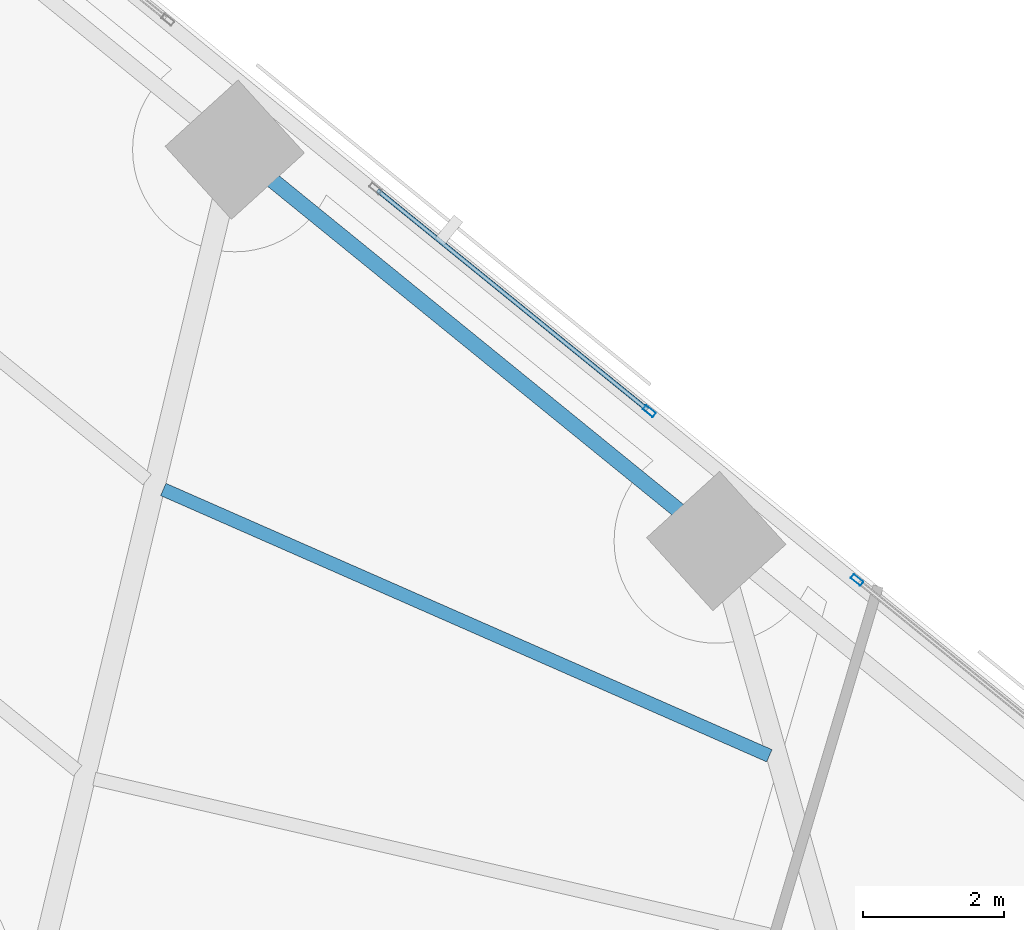
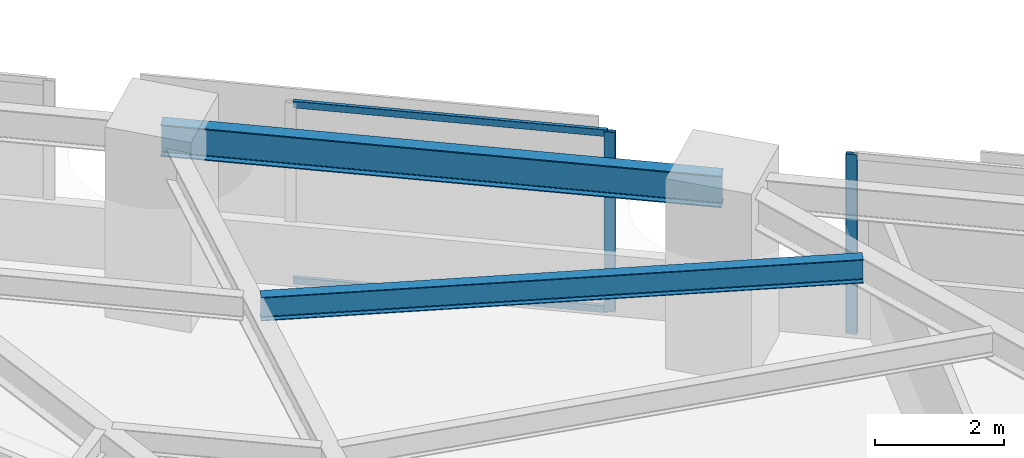
# One storey, part 10 of 17: 4 members, 2 beams, 2 elements without a shape of their own.
"""IFC4 building model written with IfcOpenShell, lengths in metres."""

from ifc_helpers import new_model, si_unit, direction, frame, origin, origin_2d, place, context, subcontext, project, spatial, hollow_rectangle, i_section, extrude, material, material_profile, profile_set, type_object, element, aggregate, save


model = new_model("IFC4")

# Units and contexts
model_context = context("Model", 3, precision=1e-05, world=origin(), true_north=direction((0.0, 1.0)))
body_context = subcontext(model_context, "Body", "Model", "MODEL_VIEW")
ifc_project = project(units=[si_unit("LENGTHUNIT", "METRE"), si_unit("AREAUNIT", "SQUARE_METRE"), si_unit("VOLUMEUNIT", "CUBIC_METRE"), si_unit("PLANEANGLEUNIT", "RADIAN"), si_unit("MASSUNIT", "GRAM", prefix="KILO")], contexts=[model_context])

# Site, building, storey
site_placement = place(None, origin())
site = spatial("IfcSite", under=ifc_project, at=site_placement, CompositionType="ELEMENT")
building_placement = place(site_placement, origin())
building = spatial("IfcBuilding", under=site, at=building_placement, Name="Narakoshi Arena Tower", CompositionType="ELEMENT")
storey_placement = place(building_placement, frame((0.0, 0.0, 48.300048828125)))
storey = spatial("IfcBuildingStorey", under=building, at=storey_placement, Name="L12", CompositionType="ELEMENT", Elevation=48.300048828125)

# Beams
ifc_material_1 = material(Name="Structural steel S355J2", Category="steel")
ifc_material_profile_1 = material_profile(ifc_material_1, i_section(OverallWidth=0.219970703125, OverallDepth=0.60009765625, WebThickness=0.011962890625, FlangeThickness=0.01904296875, FilletRadius=0.02392578125, at=origin_2d()), Name="IPE600")
ifc_profile_set_1 = profile_set([ifc_material_profile_1], Name="Structural steel S355J2")
beam_type_1 = type_object("IfcBeamType", Name="BM-EDGE-600", PredefinedType="BEAM", material=ifc_profile_set_1)
beam_1_placement = place(storey_placement, frame((82.626953125, 66.838623046875, 3.099853515625), z_axis=(-0.775997794165, 0.630735620883, 0.0), x_axis=(-0.630735620883, -0.775997794165, 0.0)))
element("IfcBeam", 1, at=beam_1_placement, inside=storey, type_object=beam_type_1, Name="L12 Perimeter Edge Girder 10", PredefinedType="BEAM", context=body_context, shape_type="SweptSolid", body=[
    extrude(i_section(OverallWidth=0.219970703125, OverallDepth=0.60009765625, WebThickness=0.011962890625, FlangeThickness=0.01904296875, FilletRadius=0.02392578125, at=origin_2d()), origin(), (0.0, 0.0, 1.0), 8.80517578125),
])
ifc_material_profile_2 = material_profile(ifc_material_1, i_section(OverallWidth=0.18994140625, OverallDepth=0.449951171875, WebThickness=0.009521484375, FlangeThickness=0.0146484375, FilletRadius=0.02099609375, at=origin_2d()), Name="IPE450")
ifc_profile_set_2 = profile_set([ifc_material_profile_2], Name="Structural steel S355J2")
beam_type_2 = type_object("IfcBeamType", Name="BM-SEC-450", PredefinedType="JOIST", material=ifc_profile_set_2)
beam_2_placement = place(storey_placement, frame((83.38037109375, 63.79150390625, 3.175048828125), z_axis=(-0.91553294009, 0.402243005669, 0.0), x_axis=(-0.402243005669, -0.91553294009, 0.0)))
element("IfcBeam", 2, at=beam_2_placement, inside=storey, type_object=beam_type_2, Name="L12 Composite Secondary Floor Joist 08", PredefinedType="JOIST", context=body_context, shape_type="SweptSolid", body=[
    extrude(i_section(OverallWidth=0.18994140625, OverallDepth=0.449951171875, WebThickness=0.009521484375, FlangeThickness=0.0146484375, FilletRadius=0.02099609375, at=origin_2d()), origin(), (0.0, 0.0, 1.0), 9.394287109375),
])

# Curtain wall, member
ifc_material_2 = material(Name="Anodised bronze aluminium 6063-T6", Category="aluminium")
curtain_wall_type = type_object("IfcCurtainWallType", Name="CW-HYP-LOW", PredefinedType="NOTDEFINED", material=ifc_material_2)
curtain_wall_1_placement = place(storey_placement, origin())
curtain_wall_1 = element("IfcCurtainWall", 3, at=curtain_wall_1_placement, inside=storey, type_object=curtain_wall_type, Name="L12 Folded Hypotenuse Curtain Wall 2-2", PredefinedType="NOTDEFINED")
ifc_material_profile_3 = material_profile(ifc_material_2, hollow_rectangle(XDim=0.074951171875, YDim=0.179931640625, WallThickness=0.00390625, OuterFilletRadius=0.0048828125, at=origin_2d()), Name="MUL180x75x4")
ifc_profile_set_3 = profile_set([ifc_material_profile_3], Name="Anodised bronze aluminium 6063-T6")
member_type_1 = type_object("IfcMemberType", Name="MEM-MUL-180", PredefinedType="MULLION", material=ifc_profile_set_3)
member_1_placement = place(storey_placement, frame((84.623779296875, 66.285400390625, 0.0), z_axis=(0.0, 0.0, 1.0), x_axis=(-0.630734833051, -0.775998434519, 0.0)))
member_1 = element("IfcMember", 4, at=member_1_placement, type_object=member_type_1, Name="CW-01 mullion 2", PredefinedType="MULLION", context=body_context, shape_type="SweptSolid", body=[
    extrude(hollow_rectangle(XDim=0.074951171875, YDim=0.179931640625, WallThickness=0.00390625, OuterFilletRadius=0.0048828125, at=origin_2d()), origin(), (0.0, 0.0, 1.0), 3.39990234375),
])
aggregate(curtain_wall_1, [member_1])

# Curtain wall, members
curtain_wall_2_placement = place(storey_placement, origin())
curtain_wall_2 = element("IfcCurtainWall", 5, at=curtain_wall_2_placement, inside=storey, type_object=curtain_wall_type, Name="L12 Folded Hypotenuse Curtain Wall 2-3", PredefinedType="NOTDEFINED")
member_2_placement = place(storey_placement, frame((81.677001953125, 68.6806640625, 0.0), z_axis=(0.0, 0.0, 1.0), x_axis=(-0.630722984816, -0.776008064665, 0.0)))
member_2 = element("IfcMember", 6, at=member_2_placement, type_object=member_type_1, Name="CW-01 mullion 1", PredefinedType="MULLION", context=body_context, shape_type="SweptSolid", body=[
    extrude(hollow_rectangle(XDim=0.074951171875, YDim=0.179931640625, WallThickness=0.00390625, OuterFilletRadius=0.0048828125, at=origin_2d()), origin(), (0.0, 0.0, 1.0), 3.39990234375),
])
ifc_material_profile_4 = material_profile(ifc_material_2, hollow_rectangle(XDim=0.06494140625, YDim=0.1298828125, WallThickness=0.00390625, OuterFilletRadius=0.0048828125, at=origin_2d()), Name="TRN130x65x4")
ifc_profile_set_4 = profile_set([ifc_material_profile_4], Name="Anodised bronze aluminium 6063-T6")
member_type_2 = type_object("IfcMemberType", Name="MEM-TRN-130", PredefinedType="USERDEFINED", material=ifc_profile_set_4)
member_3_placement = place(storey_placement, frame((81.647705078125, 68.704345703125, 0.032470703125), z_axis=(-0.77600648718, 0.630724925665, 0.0), x_axis=(-0.630724925665, -0.77600648718, 0.0)))
member_3 = element("IfcMember", 7, at=member_3_placement, type_object=member_type_2, Name="CW-01 transom 1.1", ObjectType="TRANSOM", PredefinedType="USERDEFINED", context=body_context, shape_type="SweptSolid", body=[
    extrude(hollow_rectangle(XDim=0.06494140625, YDim=0.1298828125, WallThickness=0.00390625, OuterFilletRadius=0.0048828125, at=origin_2d()), origin(), (0.0, 0.0, 1.0), 4.93212890625),
])
member_4_placement = place(storey_placement, frame((81.647705078125, 68.704345703125, 3.367431640625), z_axis=(-0.77600648718, 0.630724925665, 0.0), x_axis=(-0.630724925665, -0.77600648718, 0.0)))
member_4 = element("IfcMember", 8, at=member_4_placement, type_object=member_type_2, Name="CW-01 transom 1.2", ObjectType="TRANSOM", PredefinedType="USERDEFINED", context=body_context, shape_type="SweptSolid", body=[
    extrude(hollow_rectangle(XDim=0.06494140625, YDim=0.1298828125, WallThickness=0.00390625, OuterFilletRadius=0.0048828125, at=origin_2d()), origin(), (0.0, 0.0, 1.0), 4.93212890625),
])
aggregate(curtain_wall_2, [member_2, member_3, member_4])

save(model, "model.ifc")
